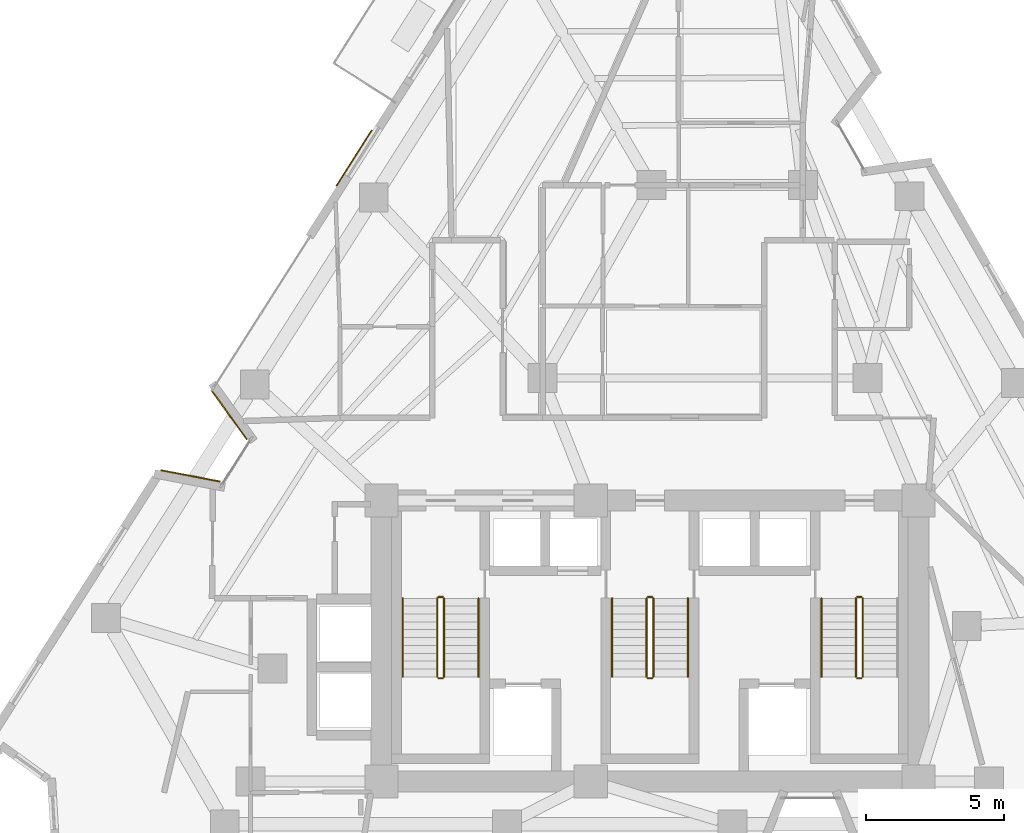
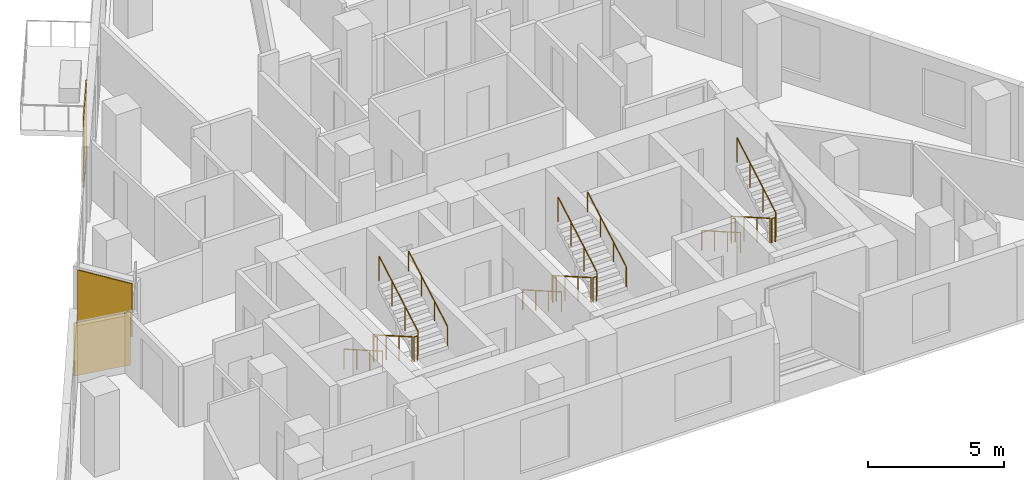
# One storey, part 10 of 11: 17 railings, 3 coverings.
"""IFC4 building model written with IfcOpenShell, lengths in metres."""

from ifc_helpers import new_model, si_unit, direction, frame, origin, origin_2d, place, context, subcontext, project, spatial, rectangle, circle, extrude, material, layer, layer_set, type_object, element, save


model = new_model("IFC4")

# Units and contexts
model_context = context("Model", 3, precision=1e-05, world=origin(), true_north=direction((0.0, 1.0)))
body_context = subcontext(model_context, "Body", "Model", "MODEL_VIEW")
ifc_project = project(units=[si_unit("LENGTHUNIT", "METRE"), si_unit("AREAUNIT", "SQUARE_METRE"), si_unit("VOLUMEUNIT", "CUBIC_METRE"), si_unit("PLANEANGLEUNIT", "RADIAN"), si_unit("MASSUNIT", "GRAM", prefix="KILO")], contexts=[model_context])

# Site, building, storey
site_placement = place(None, origin())
site = spatial("IfcSite", under=ifc_project, at=site_placement, CompositionType="ELEMENT")
building_placement = place(site_placement, origin())
building = spatial("IfcBuilding", under=site, at=building_placement, Name="Almagre Mirador Tower", CompositionType="ELEMENT")
storey_placement = place(building_placement, frame((0.0, 0.0, 135.60009765625)))
storey = spatial("IfcBuildingStorey", under=building, at=storey_placement, Name="L34", CompositionType="ELEMENT", Elevation=135.60009765625)

# Coverings
ifc_material_1 = material(Name="Almagre terracotta architectural cladding", Category="masonry")
ifc_layer = layer(ifc_material_1, 0.044921875)
ifc_layer_set = layer_set([ifc_layer], Name="Almagre terracotta architectural cladding")
covering_type = type_object("IfcCoveringType", Name="COV-CLAD-ALMAGRE", PredefinedType="CLADDING", material=ifc_layer_set)
for number, where, z_axis, x_axis, name in (
    (1, (20.615966796875, 15.6455078125, 0.099853515625), (0.0, 0.0, 1.0), (0.982247984134, -0.187587040235, 0.0), "L34 almagre terracotta pier cladding"),
    (2, (22.025146484375, 17.85888671875, 0.099853515625), (0.0, 0.0, 1.0), (-0.585226601767, 0.810869795087, 0.0), "L34 almagre terracotta pier cladding"),
):
    element("IfcCovering", number, at=place(storey_placement, frame(where, z_axis=z_axis, x_axis=x_axis)), inside=storey, type_object=covering_type, Name=name, PredefinedType="CLADDING", context=body_context, shape_type="SweptSolid", body=[
        extrude(rectangle(XDim=2.194091796875, YDim=0.044921875, at=origin_2d()), origin(), (0.0, 0.0, 1.0), 2.375),
    ])
covering_placement = place(storey_placement, frame((26.559814453125, 27.18408203125, 0.099853515625), z_axis=(0.0, 0.0, 1.0), x_axis=(0.537108235069, 0.843513333517, 0.0)))
element("IfcCovering", 3, at=covering_placement, inside=storey, type_object=covering_type, Name="L34 almagre terracotta pier cladding", PredefinedType="CLADDING", context=body_context, shape_type="SweptSolid", body=[
    extrude(rectangle(XDim=2.39990234375, YDim=0.044921875, at=origin_2d()), origin(), (0.0, 0.0, 1.0), 3.14990234375),
])

# Railings
ifc_material_2 = material(Name="Painted galvanized steel", Category="steel")
railing_type_1 = type_object("IfcRailingType", Name="RLG-GRD-1100", PredefinedType="GUARDRAIL", material=ifc_material_2)
railing_1_placement = place(storey_placement, frame((29.574951171875, 11.199951171875, 0.16357421875)))
element("IfcRailing", 4, at=railing_1_placement, inside=storey, type_object=railing_type_1, Name="L34 ST-1 stair guard 1", PredefinedType="GUARDRAIL", context=body_context, shape_type="SweptSolid", body=[
    extrude(circle(Radius=0.02392578125, at=origin_2d()), frame((0.0, 0.0, 1.09619140625), z_axis=(0.0, -0.867226363773, 0.497914082927), x_axis=(1.0, 0.0, 0.0)), (0.0, 0.0, 1.0), 3.2861328125),
    extrude(circle(Radius=0.02099609375, at=origin_2d()), origin(), (0.0, 0.0, 1.0), 1.072021484375),
    extrude(circle(Radius=0.02099609375, at=origin_2d()), frame((0.0, -0.949951171875, 0.54541015625)), (0.0, 0.0, 1.0), 1.072021484375),
    extrude(circle(Radius=0.02099609375, at=origin_2d()), frame((0.0, -1.89990234375, 1.0908203125)), (0.0, 0.0, 1.0), 1.072021484375),
    extrude(circle(Radius=0.02099609375, at=origin_2d()), frame((0.0, -2.849853515625, 1.63623046875)), (0.0, 0.0, 1.0), 1.072021484375),
])
railing_2_placement = place(storey_placement, frame((29.625, 8.300048828125, 1.7998046875)))
element("IfcRailing", 5, at=railing_2_placement, inside=storey, type_object=railing_type_1, Name="L34 ST-1 stair guard 2", PredefinedType="GUARDRAIL", context=body_context, shape_type="SweptSolid", body=[
    extrude(circle(Radius=0.02392578125, at=origin_2d()), frame((0.0, 0.0, 1.09619140625), z_axis=(1.0, 0.0, 0.0), x_axis=(0.0, 1.0, 0.0)), (0.0, 0.0, 1.0), 0.14990234375),
    extrude(circle(Radius=0.02099609375, at=origin_2d()), origin(), (0.0, 0.0, 1.0), 1.072021484375),
    extrude(circle(Radius=0.02099609375, at=origin_2d()), frame((0.14990234375, 0.0, 0.0)), (0.0, 0.0, 1.0), 1.072021484375),
])
railing_3_placement = place(storey_placement, frame((29.824951171875, 8.35009765625, 1.963623046875)))
element("IfcRailing", 6, at=railing_3_placement, inside=storey, type_object=railing_type_1, Name="L34 ST-1 stair guard 3", PredefinedType="GUARDRAIL", context=body_context, shape_type="SweptSolid", body=[
    extrude(circle(Radius=0.02392578125, at=origin_2d()), frame((0.0, 0.0, 1.09619140625), z_axis=(0.0, 0.867226363773, 0.497914082927), x_axis=(-1.0, 0.0, 0.0)), (0.0, 0.0, 1.0), 3.2861328125),
    extrude(circle(Radius=0.02099609375, at=origin_2d()), origin(), (0.0, 0.0, 1.0), 1.072021484375),
    extrude(circle(Radius=0.02099609375, at=origin_2d()), frame((0.0, 0.949951171875, 0.54541015625)), (0.0, 0.0, 1.0), 1.072021484375),
    extrude(circle(Radius=0.02099609375, at=origin_2d()), frame((0.0, 1.89990234375, 1.0908203125)), (0.0, 0.0, 1.0), 1.072021484375),
    extrude(circle(Radius=0.02099609375, at=origin_2d()), frame((0.0, 2.849853515625, 1.63623046875)), (0.0, 0.0, 1.0), 1.072021484375),
])
railing_4_placement = place(storey_placement, frame((29.625, 11.25, 0.0)))
element("IfcRailing", 7, at=railing_4_placement, inside=storey, type_object=railing_type_1, Name="L34 ST-1 stair guard 4", PredefinedType="GUARDRAIL", context=body_context, shape_type="SweptSolid", body=[
    extrude(circle(Radius=0.02392578125, at=origin_2d()), frame((0.0, 0.0, 1.09619140625), z_axis=(1.0, 0.0, 0.0), x_axis=(0.0, 1.0, 0.0)), (0.0, 0.0, 1.0), 0.14990234375),
    extrude(circle(Radius=0.02099609375, at=origin_2d()), origin(), (0.0, 0.0, 1.0), 1.072021484375),
    extrude(circle(Radius=0.02099609375, at=origin_2d()), frame((0.14990234375, 0.0, 0.0)), (0.0, 0.0, 1.0), 1.072021484375),
])
railing_5_placement = place(storey_placement, frame((37.175048828125, 11.199951171875, 0.16357421875)))
element("IfcRailing", 8, at=railing_5_placement, inside=storey, type_object=railing_type_1, Name="L34 ST-2 stair guard 1", PredefinedType="GUARDRAIL", context=body_context, shape_type="SweptSolid", body=[
    extrude(circle(Radius=0.02392578125, at=origin_2d()), frame((0.0, 0.0, 1.09619140625), z_axis=(0.0, -0.867226363773, 0.497914082927), x_axis=(1.0, 0.0, 0.0)), (0.0, 0.0, 1.0), 3.2861328125),
    extrude(circle(Radius=0.02099609375, at=origin_2d()), origin(), (0.0, 0.0, 1.0), 1.072021484375),
    extrude(circle(Radius=0.02099609375, at=origin_2d()), frame((0.0, -0.949951171875, 0.54541015625)), (0.0, 0.0, 1.0), 1.072021484375),
    extrude(circle(Radius=0.02099609375, at=origin_2d()), frame((0.0, -1.89990234375, 1.0908203125)), (0.0, 0.0, 1.0), 1.072021484375),
    extrude(circle(Radius=0.02099609375, at=origin_2d()), frame((0.0, -2.849853515625, 1.63623046875)), (0.0, 0.0, 1.0), 1.072021484375),
])
railing_6_placement = place(storey_placement, frame((37.22509765625, 8.300048828125, 1.7998046875)))
element("IfcRailing", 9, at=railing_6_placement, inside=storey, type_object=railing_type_1, Name="L34 ST-2 stair guard 2", PredefinedType="GUARDRAIL", context=body_context, shape_type="SweptSolid", body=[
    extrude(circle(Radius=0.02392578125, at=origin_2d()), frame((0.0, 0.0, 1.09619140625), z_axis=(1.0, 0.0, 0.0), x_axis=(0.0, 1.0, 0.0)), (0.0, 0.0, 1.0), 0.14990234375),
    extrude(circle(Radius=0.02099609375, at=origin_2d()), origin(), (0.0, 0.0, 1.0), 1.072021484375),
    extrude(circle(Radius=0.02099609375, at=origin_2d()), frame((0.14990234375, 0.0, 0.0)), (0.0, 0.0, 1.0), 1.072021484375),
])
railing_7_placement = place(storey_placement, frame((37.425048828125, 8.35009765625, 1.963623046875)))
element("IfcRailing", 10, at=railing_7_placement, inside=storey, type_object=railing_type_1, Name="L34 ST-2 stair guard 3", PredefinedType="GUARDRAIL", context=body_context, shape_type="SweptSolid", body=[
    extrude(circle(Radius=0.02392578125, at=origin_2d()), frame((0.0, 0.0, 1.09619140625), z_axis=(0.0, 0.867226363773, 0.497914082927), x_axis=(-1.0, 0.0, 0.0)), (0.0, 0.0, 1.0), 3.2861328125),
    extrude(circle(Radius=0.02099609375, at=origin_2d()), origin(), (0.0, 0.0, 1.0), 1.072021484375),
    extrude(circle(Radius=0.02099609375, at=origin_2d()), frame((0.0, 0.949951171875, 0.54541015625)), (0.0, 0.0, 1.0), 1.072021484375),
    extrude(circle(Radius=0.02099609375, at=origin_2d()), frame((0.0, 1.89990234375, 1.0908203125)), (0.0, 0.0, 1.0), 1.072021484375),
    extrude(circle(Radius=0.02099609375, at=origin_2d()), frame((0.0, 2.849853515625, 1.63623046875)), (0.0, 0.0, 1.0), 1.072021484375),
])
railing_8_placement = place(storey_placement, frame((37.22509765625, 11.25, 0.0)))
element("IfcRailing", 11, at=railing_8_placement, inside=storey, type_object=railing_type_1, Name="L34 ST-2 stair guard 4", PredefinedType="GUARDRAIL", context=body_context, shape_type="SweptSolid", body=[
    extrude(circle(Radius=0.02392578125, at=origin_2d()), frame((0.0, 0.0, 1.09619140625), z_axis=(1.0, 0.0, 0.0), x_axis=(0.0, 1.0, 0.0)), (0.0, 0.0, 1.0), 0.14990234375),
    extrude(circle(Radius=0.02099609375, at=origin_2d()), origin(), (0.0, 0.0, 1.0), 1.072021484375),
    extrude(circle(Radius=0.02099609375, at=origin_2d()), frame((0.14990234375, 0.0, 0.0)), (0.0, 0.0, 1.0), 1.072021484375),
])
railing_9_placement = place(storey_placement, frame((44.77490234375, 11.199951171875, 0.16357421875)))
element("IfcRailing", 12, at=railing_9_placement, inside=storey, type_object=railing_type_1, Name="L34 ST-3 stair guard 1", PredefinedType="GUARDRAIL", context=body_context, shape_type="SweptSolid", body=[
    extrude(circle(Radius=0.02392578125, at=origin_2d()), frame((0.0, 0.0, 1.09619140625), z_axis=(0.0, -0.867226363773, 0.497914082927), x_axis=(1.0, 0.0, 0.0)), (0.0, 0.0, 1.0), 3.2861328125),
    extrude(circle(Radius=0.02099609375, at=origin_2d()), origin(), (0.0, 0.0, 1.0), 1.072021484375),
    extrude(circle(Radius=0.02099609375, at=origin_2d()), frame((0.0, -0.949951171875, 0.54541015625)), (0.0, 0.0, 1.0), 1.072021484375),
    extrude(circle(Radius=0.02099609375, at=origin_2d()), frame((0.0, -1.89990234375, 1.0908203125)), (0.0, 0.0, 1.0), 1.072021484375),
    extrude(circle(Radius=0.02099609375, at=origin_2d()), frame((0.0, -2.849853515625, 1.63623046875)), (0.0, 0.0, 1.0), 1.072021484375),
])
railing_10_placement = place(storey_placement, frame((44.824951171875, 8.300048828125, 1.7998046875)))
element("IfcRailing", 13, at=railing_10_placement, inside=storey, type_object=railing_type_1, Name="L34 ST-3 stair guard 2", PredefinedType="GUARDRAIL", context=body_context, shape_type="SweptSolid", body=[
    extrude(circle(Radius=0.02392578125, at=origin_2d()), frame((0.0, 0.0, 1.09619140625), z_axis=(1.0, 0.0, 0.0), x_axis=(0.0, 1.0, 0.0)), (0.0, 0.0, 1.0), 0.150146484375),
    extrude(circle(Radius=0.02099609375, at=origin_2d()), origin(), (0.0, 0.0, 1.0), 1.072021484375),
    extrude(circle(Radius=0.02099609375, at=origin_2d()), frame((0.150146484375, 0.0, 0.0)), (0.0, 0.0, 1.0), 1.072021484375),
])
railing_11_placement = place(storey_placement, frame((45.02490234375, 8.35009765625, 1.963623046875)))
element("IfcRailing", 14, at=railing_11_placement, inside=storey, type_object=railing_type_1, Name="L34 ST-3 stair guard 3", PredefinedType="GUARDRAIL", context=body_context, shape_type="SweptSolid", body=[
    extrude(circle(Radius=0.02392578125, at=origin_2d()), frame((0.0, 0.0, 1.09619140625), z_axis=(0.0, 0.867226363773, 0.497914082927), x_axis=(-1.0, 0.0, 0.0)), (0.0, 0.0, 1.0), 3.2861328125),
    extrude(circle(Radius=0.02099609375, at=origin_2d()), origin(), (0.0, 0.0, 1.0), 1.072021484375),
    extrude(circle(Radius=0.02099609375, at=origin_2d()), frame((0.0, 0.949951171875, 0.54541015625)), (0.0, 0.0, 1.0), 1.072021484375),
    extrude(circle(Radius=0.02099609375, at=origin_2d()), frame((0.0, 1.89990234375, 1.0908203125)), (0.0, 0.0, 1.0), 1.072021484375),
    extrude(circle(Radius=0.02099609375, at=origin_2d()), frame((0.0, 2.849853515625, 1.63623046875)), (0.0, 0.0, 1.0), 1.072021484375),
])
railing_12_placement = place(storey_placement, frame((44.824951171875, 11.25, 0.0)))
element("IfcRailing", 15, at=railing_12_placement, inside=storey, type_object=railing_type_1, Name="L34 ST-3 stair guard 4", PredefinedType="GUARDRAIL", context=body_context, shape_type="SweptSolid", body=[
    extrude(circle(Radius=0.02392578125, at=origin_2d()), frame((0.0, 0.0, 1.09619140625), z_axis=(1.0, 0.0, 0.0), x_axis=(0.0, 1.0, 0.0)), (0.0, 0.0, 1.0), 0.150146484375),
    extrude(circle(Radius=0.02099609375, at=origin_2d()), origin(), (0.0, 0.0, 1.0), 1.072021484375),
    extrude(circle(Radius=0.02099609375, at=origin_2d()), frame((0.150146484375, 0.0, 0.0)), (0.0, 0.0, 1.0), 1.072021484375),
])
ifc_material_3 = material(Name="Brushed stainless steel", Category="steel")
railing_type_2 = type_object("IfcRailingType", Name="RLG-HND-915", PredefinedType="HANDRAIL", material=ifc_material_3)
railing_13_placement = place(storey_placement, frame((28.324951171875, 11.199951171875, 0.16357421875)))
element("IfcRailing", 16, at=railing_13_placement, inside=storey, type_object=railing_type_2, Name="L34 ST-1 stair handrail 1", PredefinedType="HANDRAIL", context=body_context, shape_type="SweptSolid", body=[
    extrude(circle(Radius=0.02392578125, at=origin_2d()), frame((0.0, 0.0, 0.89111328125), z_axis=(0.0, -0.867226363773, 0.497914082927), x_axis=(1.0, 0.0, 0.0)), (0.0, 0.0, 1.0), 3.2861328125),
    extrude(circle(Radius=0.02099609375, at=origin_2d()), origin(), (0.0, 0.0, 1.0), 0.866943359375),
    extrude(circle(Radius=0.02099609375, at=origin_2d()), frame((0.0, -0.949951171875, 0.54541015625)), (0.0, 0.0, 1.0), 0.866943359375),
    extrude(circle(Radius=0.02099609375, at=origin_2d()), frame((0.0, -1.89990234375, 1.0908203125)), (0.0, 0.0, 1.0), 0.866943359375),
    extrude(circle(Radius=0.02099609375, at=origin_2d()), frame((0.0, -2.849853515625, 1.63623046875)), (0.0, 0.0, 1.0), 0.866943359375),
])
railing_14_placement = place(storey_placement, frame((31.074951171875, 8.35009765625, 1.963623046875)))
element("IfcRailing", 17, at=railing_14_placement, inside=storey, type_object=railing_type_2, Name="L34 ST-1 stair handrail 2", PredefinedType="HANDRAIL", context=body_context, shape_type="SweptSolid", body=[
    extrude(circle(Radius=0.02392578125, at=origin_2d()), frame((0.0, 0.0, 0.89111328125), z_axis=(0.0, 0.867226363773, 0.497914082927), x_axis=(-1.0, 0.0, 0.0)), (0.0, 0.0, 1.0), 3.2861328125),
    extrude(circle(Radius=0.02099609375, at=origin_2d()), origin(), (0.0, 0.0, 1.0), 0.866943359375),
    extrude(circle(Radius=0.02099609375, at=origin_2d()), frame((0.0, 0.949951171875, 0.54541015625)), (0.0, 0.0, 1.0), 0.866943359375),
    extrude(circle(Radius=0.02099609375, at=origin_2d()), frame((0.0, 1.89990234375, 1.0908203125)), (0.0, 0.0, 1.0), 0.866943359375),
    extrude(circle(Radius=0.02099609375, at=origin_2d()), frame((0.0, 2.849853515625, 1.63623046875)), (0.0, 0.0, 1.0), 0.866943359375),
])
railing_15_placement = place(storey_placement, frame((35.925048828125, 11.199951171875, 0.16357421875)))
element("IfcRailing", 18, at=railing_15_placement, inside=storey, type_object=railing_type_2, Name="L34 ST-2 stair handrail 1", PredefinedType="HANDRAIL", context=body_context, shape_type="SweptSolid", body=[
    extrude(circle(Radius=0.02392578125, at=origin_2d()), frame((0.0, 0.0, 0.89111328125), z_axis=(0.0, -0.867226363773, 0.497914082927), x_axis=(1.0, 0.0, 0.0)), (0.0, 0.0, 1.0), 3.2861328125),
    extrude(circle(Radius=0.02099609375, at=origin_2d()), origin(), (0.0, 0.0, 1.0), 0.866943359375),
    extrude(circle(Radius=0.02099609375, at=origin_2d()), frame((0.0, -0.949951171875, 0.54541015625)), (0.0, 0.0, 1.0), 0.866943359375),
    extrude(circle(Radius=0.02099609375, at=origin_2d()), frame((0.0, -1.89990234375, 1.0908203125)), (0.0, 0.0, 1.0), 0.866943359375),
    extrude(circle(Radius=0.02099609375, at=origin_2d()), frame((0.0, -2.849853515625, 1.63623046875)), (0.0, 0.0, 1.0), 0.866943359375),
])
railing_16_placement = place(storey_placement, frame((38.675048828125, 8.35009765625, 1.963623046875)))
element("IfcRailing", 19, at=railing_16_placement, inside=storey, type_object=railing_type_2, Name="L34 ST-2 stair handrail 2", PredefinedType="HANDRAIL", context=body_context, shape_type="SweptSolid", body=[
    extrude(circle(Radius=0.02392578125, at=origin_2d()), frame((0.0, 0.0, 0.89111328125), z_axis=(0.0, 0.867226363773, 0.497914082927), x_axis=(-1.0, 0.0, 0.0)), (0.0, 0.0, 1.0), 3.2861328125),
    extrude(circle(Radius=0.02099609375, at=origin_2d()), origin(), (0.0, 0.0, 1.0), 0.866943359375),
    extrude(circle(Radius=0.02099609375, at=origin_2d()), frame((0.0, 0.949951171875, 0.54541015625)), (0.0, 0.0, 1.0), 0.866943359375),
    extrude(circle(Radius=0.02099609375, at=origin_2d()), frame((0.0, 1.89990234375, 1.0908203125)), (0.0, 0.0, 1.0), 0.866943359375),
    extrude(circle(Radius=0.02099609375, at=origin_2d()), frame((0.0, 2.849853515625, 1.63623046875)), (0.0, 0.0, 1.0), 0.866943359375),
])
railing_17_placement = place(storey_placement, frame((43.52490234375, 11.199951171875, 0.16357421875)))
element("IfcRailing", 20, at=railing_17_placement, inside=storey, type_object=railing_type_2, Name="L34 ST-3 stair handrail 1", PredefinedType="HANDRAIL", context=body_context, shape_type="SweptSolid", body=[
    extrude(circle(Radius=0.02392578125, at=origin_2d()), frame((0.0, 0.0, 0.89111328125), z_axis=(0.0, -0.867226363773, 0.497914082927), x_axis=(1.0, 0.0, 0.0)), (0.0, 0.0, 1.0), 3.2861328125),
    extrude(circle(Radius=0.02099609375, at=origin_2d()), origin(), (0.0, 0.0, 1.0), 0.866943359375),
    extrude(circle(Radius=0.02099609375, at=origin_2d()), frame((0.0, -0.949951171875, 0.54541015625)), (0.0, 0.0, 1.0), 0.866943359375),
    extrude(circle(Radius=0.02099609375, at=origin_2d()), frame((0.0, -1.89990234375, 1.0908203125)), (0.0, 0.0, 1.0), 0.866943359375),
    extrude(circle(Radius=0.02099609375, at=origin_2d()), frame((0.0, -2.849853515625, 1.63623046875)), (0.0, 0.0, 1.0), 0.866943359375),
])

save(model, "model.ifc")
